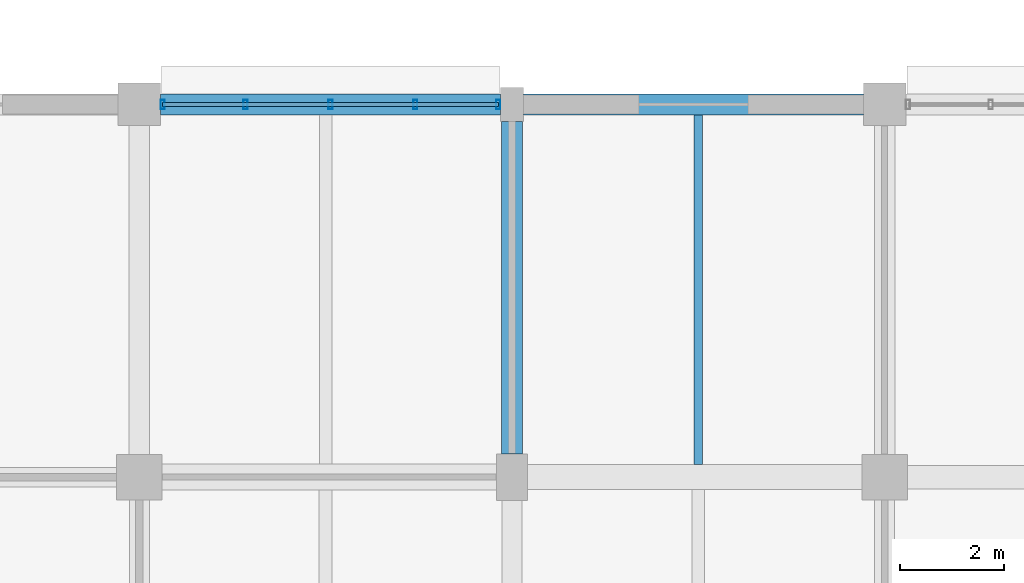
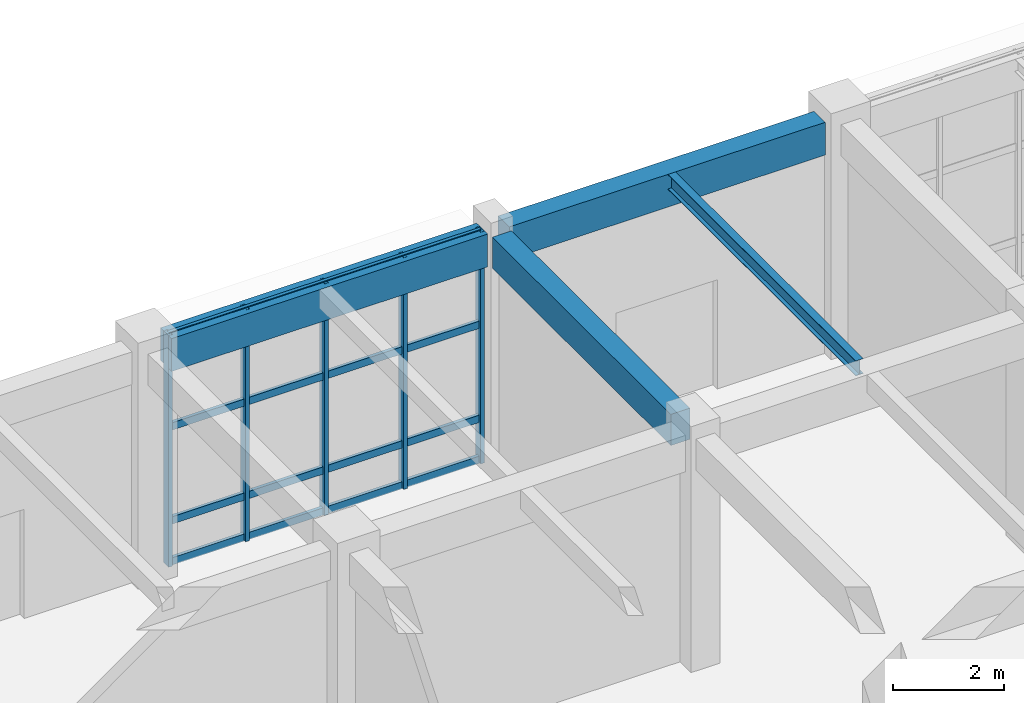
# One storey, part 80 of 160: 9 members, 4 beams, 1 element without a shape of its own.
"""IFC4 building model written with IfcOpenShell, lengths in metres."""

from ifc_helpers import new_model, si_unit, direction, frame, origin, origin_2d, place, context, subcontext, project, spatial, rectangle, hollow_rectangle, i_section, extrude, material, material_profile, profile_set, type_object, element, aggregate, save


model = new_model("IFC4")

# Units and contexts
model_context = context("Model", 3, precision=1e-05, world=origin(), true_north=direction((0.0, 1.0)))
body_context = subcontext(model_context, "Body", "Model", "MODEL_VIEW")
ifc_project = project(units=[si_unit("LENGTHUNIT", "METRE"), si_unit("AREAUNIT", "SQUARE_METRE"), si_unit("VOLUMEUNIT", "CUBIC_METRE"), si_unit("PLANEANGLEUNIT", "RADIAN"), si_unit("MASSUNIT", "GRAM", prefix="KILO")], contexts=[model_context])

# Site, building, storey
site_placement = place(None, origin())
site = spatial("IfcSite", under=ifc_project, at=site_placement, CompositionType="ELEMENT")
building_placement = place(site_placement, origin())
building = spatial("IfcBuilding", under=site, at=building_placement, Name="Thalmaran Polytechnic", CompositionType="ELEMENT")
storey_placement = place(building_placement, origin())
storey = spatial("IfcBuildingStorey", under=building, at=storey_placement, Name="L00", CompositionType="ELEMENT", Elevation=0.0)

# Beams
ifc_material_1 = material(Name="Steel S355", Category="steel")
ifc_material_profile_1 = material_profile(ifc_material_1, i_section(OverallWidth=0.159912109375, OverallDepth=0.330078125, WebThickness=0.007568359375, FlangeThickness=0.011474609375, at=origin_2d()), Name="IPE 330")
ifc_profile_set_1 = profile_set([ifc_material_profile_1], Name="Steel S355")
beam_type_1 = type_object("IfcBeamType", Name="BM-SJ02", PredefinedType="JOIST", material=ifc_profile_set_1)
beam_1_placement = place(storey_placement, frame((75.60009765625, 115.43994140625, 4.925048828125), z_axis=(0.0, 1.0, 0.0), x_axis=(-1.0, 0.0, 0.0)))
element("IfcBeam", 1, at=beam_1_placement, inside=storey, type_object=beam_type_1, Name="Secondary Floor Rib SJ02 L00 (10,16)", PredefinedType="JOIST", context=body_context, shape_type="SweptSolid", body=[
    extrude(i_section(OverallWidth=0.159912109375, OverallDepth=0.330078125, WebThickness=0.007568359375, FlangeThickness=0.011474609375, at=origin_2d()), origin(), (0.0, 0.0, 1.0), 6.760009765625),
])
ifc_material_2 = material(Name="Concrete C40/50", Category="concrete")
ifc_material_profile_2 = material_profile(ifc_material_2, rectangle(XDim=0.39990234375, YDim=0.719970703125, at=origin_2d()), Name="RC 400x720")
ifc_profile_set_2 = profile_set([ifc_material_profile_2], Name="Concrete C40/50")
beam_type_2 = type_object("IfcBeamType", Name="BM-SP01", PredefinedType="SPANDREL", material=ifc_profile_set_2)
for number, where, z_axis, x_axis, name in (
    (2, (65.2099609375, 122.39990234375, 4.72998046875), (1.0, 0.0, 0.0), (0.0, 1.0, 0.0), "Grid Beam SP01 L00 X(9,17)"),
    (3, (72.22509765625, 122.39990234375, 4.72998046875), (1.0, 0.0, 0.0), (0.0, 1.0, 0.0), "Grid Beam SP01 L00 X(10,17)"),
):
    element("IfcBeam", number, at=place(storey_placement, frame(where, z_axis=z_axis, x_axis=x_axis)), inside=storey, type_object=beam_type_2, Name=name, PredefinedType="SPANDREL", context=body_context, shape_type="SweptSolid", body=[
        extrude(rectangle(XDim=0.39990234375, YDim=0.719970703125, at=origin_2d()), origin(), (0.0, 0.0, 1.0), 6.56494140625),
    ])
ifc_material_profile_3 = material_profile(ifc_material_2, rectangle(XDim=0.39990234375, YDim=0.68505859375, at=origin_2d()), Name="RC 400x685")
ifc_profile_set_3 = profile_set([ifc_material_profile_3], Name="Concrete C40/50")
beam_type_3 = type_object("IfcBeamType", Name="BM-ZB07", PredefinedType="BEAM", material=ifc_profile_set_3)
beam_2_placement = place(storey_placement, frame((72.0, 115.64990234375, 4.74755859375), z_axis=(0.0, 1.0, 0.0), x_axis=(-1.0, 0.0, 0.0)))
element("IfcBeam", 4, at=beam_2_placement, inside=storey, type_object=beam_type_3, Name="Grid Beam ZB07 L00 Y(10,16)", PredefinedType="BEAM", context=body_context, shape_type="SweptSolid", body=[
    extrude(rectangle(XDim=0.39990234375, YDim=0.68505859375, at=origin_2d()), origin(), (0.0, 0.0, 1.0), 6.425048828125),
])

# Curtain wall, members
ifc_material_3 = material(Name="Aluminium 6063-T6", Category="aluminium")
curtain_wall_type = type_object("IfcCurtainWallType", Name="CW-UC01", PredefinedType="USERDEFINED", material=ifc_material_3)
curtain_wall_placement = place(storey_placement, origin())
curtain_wall = element("IfcCurtainWall", 5, at=curtain_wall_placement, inside=storey, type_object=curtain_wall_type, Name="Curtain Wall CW-L00-006", ObjectType="UNITISED CURTAIN WALL", PredefinedType="USERDEFINED")
ifc_material_profile_4 = material_profile(ifc_material_3, hollow_rectangle(XDim=0.080078125, YDim=0.179931640625, WallThickness=0.0048828125, at=origin_2d()), Name="RHS 180x80x5.0")
ifc_profile_set_4 = profile_set([ifc_material_profile_4], Name="Aluminium 6063-T6")
member_type_1 = type_object("IfcMemberType", Name="CW-MUL1", PredefinedType="MULLION", material=ifc_profile_set_4)
member_1_placement = place(storey_placement, frame((65.25, 122.39990234375, 0.0), z_axis=(0.0, 0.0, 1.0), x_axis=(1.0, 0.0, 0.0)))
member_1 = element("IfcMember", 6, at=member_1_placement, type_object=member_type_1, Name="CW-L00-006 Mullion 1", PredefinedType="MULLION", context=body_context, shape_type="SweptSolid", body=[
    extrude(hollow_rectangle(XDim=0.080078125, YDim=0.179931640625, WallThickness=0.0048828125, at=origin_2d()), origin(), (0.0, 0.0, 1.0), 5.090087890625),
])
member_2_placement = place(storey_placement, frame((66.851318359375, 122.39990234375, 0.0), z_axis=(0.0, 0.0, 1.0), x_axis=(1.0, 0.0, 0.0)))
member_2 = element("IfcMember", 7, at=member_2_placement, type_object=member_type_1, Name="CW-L00-006 Mullion 2", PredefinedType="MULLION", context=body_context, shape_type="SweptSolid", body=[
    extrude(hollow_rectangle(XDim=0.080078125, YDim=0.179931640625, WallThickness=0.0048828125, at=origin_2d()), origin(), (0.0, 0.0, 1.0), 5.090087890625),
])
member_3_placement = place(storey_placement, frame((68.492431640625, 122.39990234375, 0.0), z_axis=(0.0, 0.0, 1.0), x_axis=(1.0, 0.0, 0.0)))
member_3 = element("IfcMember", 8, at=member_3_placement, type_object=member_type_1, Name="CW-L00-006 Mullion 3", PredefinedType="MULLION", context=body_context, shape_type="SweptSolid", body=[
    extrude(hollow_rectangle(XDim=0.080078125, YDim=0.179931640625, WallThickness=0.0048828125, at=origin_2d()), origin(), (0.0, 0.0, 1.0), 5.090087890625),
])
member_4_placement = place(storey_placement, frame((70.1337890625, 122.39990234375, 0.0), z_axis=(0.0, 0.0, 1.0), x_axis=(1.0, 0.0, 0.0)))
member_4 = element("IfcMember", 9, at=member_4_placement, type_object=member_type_1, Name="CW-L00-006 Mullion 4", PredefinedType="MULLION", context=body_context, shape_type="SweptSolid", body=[
    extrude(hollow_rectangle(XDim=0.080078125, YDim=0.179931640625, WallThickness=0.0048828125, at=origin_2d()), origin(), (0.0, 0.0, 1.0), 5.090087890625),
])
member_5_placement = place(storey_placement, frame((71.735107421875, 122.39990234375, 0.0), z_axis=(0.0, 0.0, 1.0), x_axis=(1.0, 0.0, 0.0)))
member_5 = element("IfcMember", 10, at=member_5_placement, type_object=member_type_1, Name="CW-L00-006 Mullion 5", PredefinedType="MULLION", context=body_context, shape_type="SweptSolid", body=[
    extrude(hollow_rectangle(XDim=0.080078125, YDim=0.179931640625, WallThickness=0.0048828125, at=origin_2d()), origin(), (0.0, 0.0, 1.0), 5.090087890625),
])
ifc_material_profile_5 = material_profile(ifc_material_3, hollow_rectangle(XDim=0.070068359375, YDim=0.159912109375, WallThickness=0.00390625, at=origin_2d()), Name="AL 160x70x4.0")
ifc_profile_set_5 = profile_set([ifc_material_profile_5], Name="Aluminium 6063-T6")
member_type_2 = type_object("IfcMemberType", Name="CW-TRN1", PredefinedType="USERDEFINED", material=ifc_profile_set_5)
member_6_placement = place(storey_placement, frame((65.25, 122.39990234375, 0.06005859375), z_axis=(1.0, 0.0, 0.0), x_axis=(0.0, 1.0, 0.0)))
member_6 = element("IfcMember", 11, at=member_6_placement, type_object=member_type_2, Name="CW-L00-006 Transom 1", ObjectType="TRANSOM", PredefinedType="USERDEFINED", context=body_context, shape_type="SweptSolid", body=[
    extrude(hollow_rectangle(XDim=0.070068359375, YDim=0.159912109375, WallThickness=0.00390625, at=origin_2d()), origin(), (0.0, 0.0, 1.0), 6.485107421875),
])
member_7_placement = place(storey_placement, frame((65.25, 122.39990234375, 0.9599609375), z_axis=(1.0, 0.0, 0.0), x_axis=(0.0, 1.0, 0.0)))
member_7 = element("IfcMember", 12, at=member_7_placement, type_object=member_type_2, Name="CW-L00-006 Transom 2", ObjectType="TRANSOM", PredefinedType="USERDEFINED", context=body_context, shape_type="SweptSolid", body=[
    extrude(hollow_rectangle(XDim=0.070068359375, YDim=0.159912109375, WallThickness=0.00390625, at=origin_2d()), origin(), (0.0, 0.0, 1.0), 6.485107421875),
])
member_8_placement = place(storey_placement, frame((65.25, 122.39990234375, 3.02490234375), z_axis=(1.0, 0.0, 0.0), x_axis=(0.0, 1.0, 0.0)))
member_8 = element("IfcMember", 13, at=member_8_placement, type_object=member_type_2, Name="CW-L00-006 Transom 3", ObjectType="TRANSOM", PredefinedType="USERDEFINED", context=body_context, shape_type="SweptSolid", body=[
    extrude(hollow_rectangle(XDim=0.070068359375, YDim=0.159912109375, WallThickness=0.00390625, at=origin_2d()), origin(), (0.0, 0.0, 1.0), 6.485107421875),
])
member_9_placement = place(storey_placement, frame((65.25, 122.39990234375, 5.030029296875), z_axis=(1.0, 0.0, 0.0), x_axis=(0.0, 1.0, 0.0)))
member_9 = element("IfcMember", 14, at=member_9_placement, type_object=member_type_2, Name="CW-L00-006 Transom 4", ObjectType="TRANSOM", PredefinedType="USERDEFINED", context=body_context, shape_type="SweptSolid", body=[
    extrude(hollow_rectangle(XDim=0.070068359375, YDim=0.159912109375, WallThickness=0.00390625, at=origin_2d()), origin(), (0.0, 0.0, 1.0), 6.485107421875),
])
aggregate(curtain_wall, [member_1, member_2, member_3, member_4, member_5, member_6, member_7, member_8, member_9])

save(model, "model.ifc")
